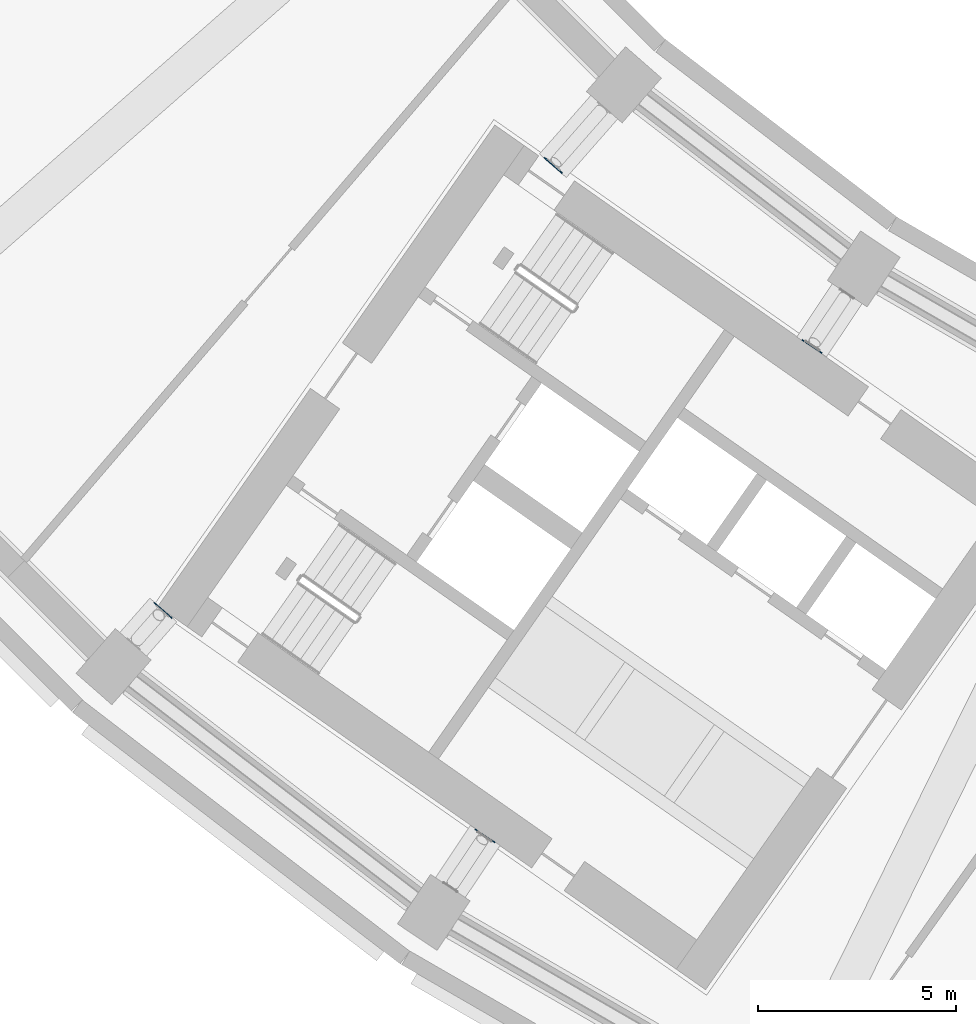
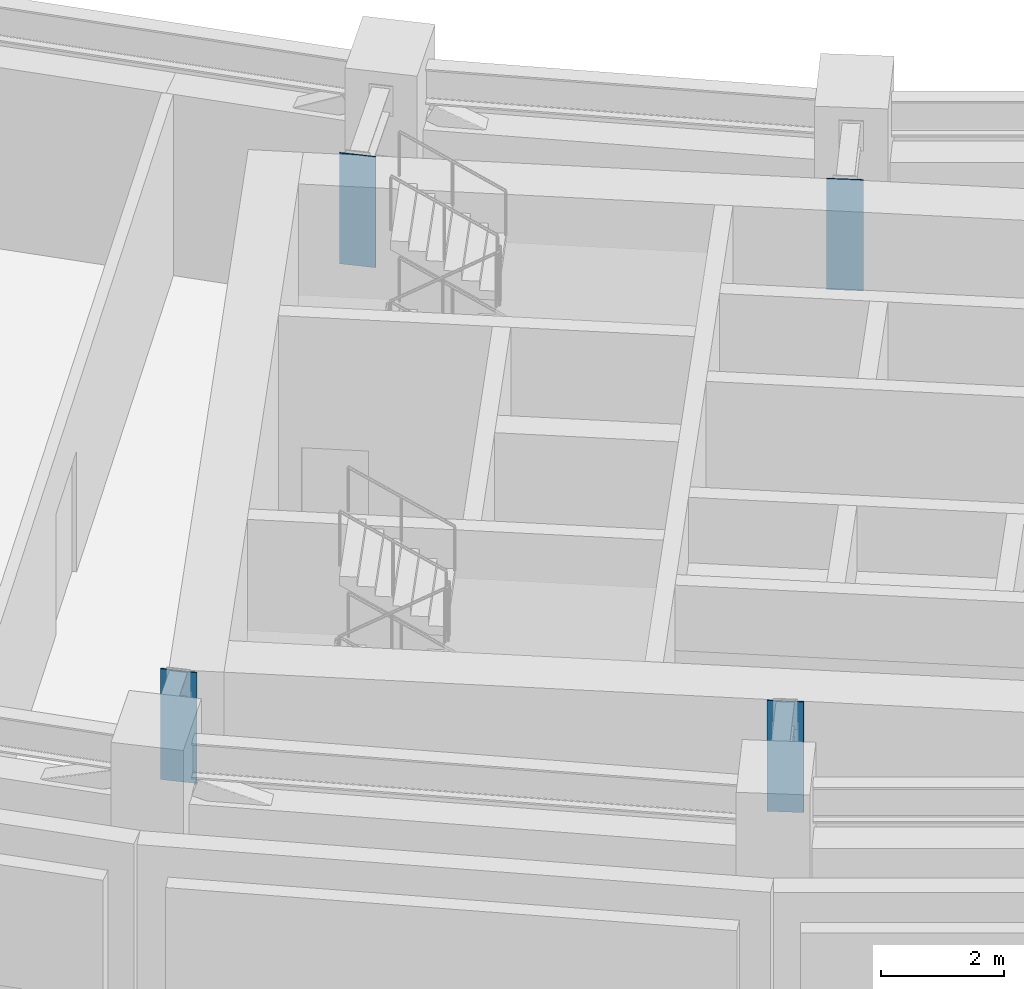
# One storey, part 11 of 25: 4 discrete accessories.
"""IFC4 building model written with IfcOpenShell, lengths in metres."""

from ifc_helpers import new_model, si_unit, direction, frame, origin, origin_2d, place, context, subcontext, project, spatial, rectangle, extrude, material, layer, layer_set, type_object, element, save


model = new_model("IFC4")

# Units and contexts
model_context = context("Model", 3, precision=1e-05, world=origin(), true_north=direction((0.0, 1.0)))
body_context = subcontext(model_context, "Body", "Model", "MODEL_VIEW")
ifc_project = project(units=[si_unit("LENGTHUNIT", "METRE"), si_unit("AREAUNIT", "SQUARE_METRE"), si_unit("VOLUMEUNIT", "CUBIC_METRE"), si_unit("PLANEANGLEUNIT", "RADIAN"), si_unit("MASSUNIT", "GRAM", prefix="KILO")], contexts=[model_context])

# Site, building, storey
site_placement = place(None, origin())
site = spatial("IfcSite", under=ifc_project, at=site_placement, CompositionType="ELEMENT")
building_placement = place(site_placement, origin())
building = spatial("IfcBuilding", under=site, at=building_placement, Name="Qamariyya Broadcast Tower", CompositionType="ELEMENT")
storey_placement = place(building_placement, frame((0.0, 0.0, 144.300048828125)))
storey = spatial("IfcBuildingStorey", under=building, at=storey_placement, Name="L33", CompositionType="ELEMENT", Elevation=144.300048828125)

# Discrete accessories
ifc_material = material(Name="Steel S355", Category="steel")
ifc_layer = layer(ifc_material, 0.02490234375)
ifc_layer_set = layer_set([ifc_layer], Name="Cast-in plate 25 Steel S355")
discrete_accessory_type = type_object("IfcDiscreteAccessoryType", Name="Cast-in plate 25 Steel S355", PredefinedType="ANCHORPLATE", material=ifc_layer_set)
for number, where, z_axis, x_axis, name in (
    (1, (-40.18701171875, -45.824462890625, 2.5), (0.0, 0.0, 1.0), (-0.751839807479, 0.6593458151, 0.0), "Cast-in plate CP1 L33 R05"),
    (2, (-50.020263671875, -57.037109375, 2.5), (0.0, 0.0, 1.0), (-0.751839807479, 0.6593458151, 0.0), "Cast-in plate CP1 L33 R05"),
    (3, (-33.668701171875, -50.388671875, 2.5), (0.0, 0.0, 1.0), (-0.831469612303, 0.55557023302, 0.0), "Cast-in plate CP1 L33 R06"),
    (4, (-41.906982421875, -62.718017578125, 2.5), (0.0, 0.0, 1.0), (-0.831469612303, 0.55557023302, 0.0), "Cast-in plate CP1 L33 R06"),
):
    element("IfcDiscreteAccessory", number, at=place(storey_placement, frame(where, z_axis=z_axis, x_axis=x_axis)), inside=storey, type_object=discrete_accessory_type, Name=name, PredefinedType="ANCHORPLATE", context=body_context, shape_type="SweptSolid", body=[
        extrude(rectangle(XDim=0.60009765625, YDim=0.02490234375, at=origin_2d()), origin(), (0.0, 0.0, 1.0), 2.199951171875),
    ])

save(model, "model.ifc")
